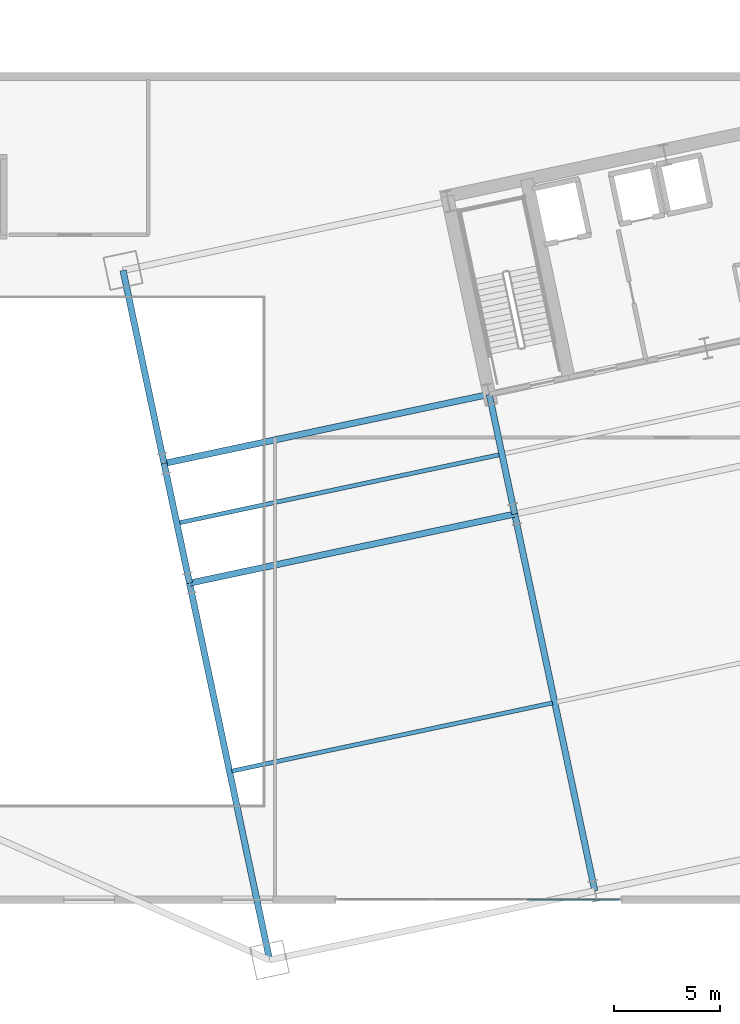
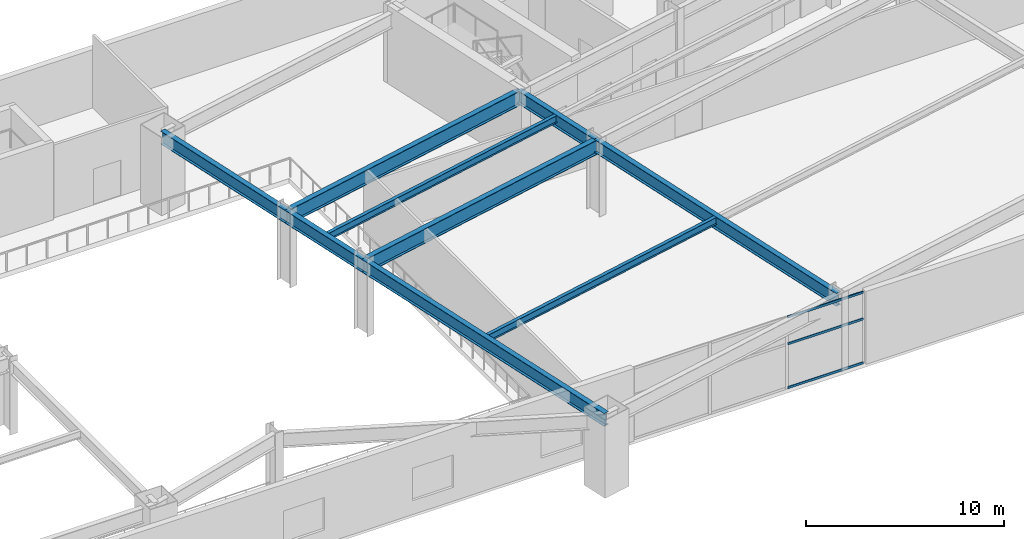
# One storey, part 9 of 25: 9 beams, 3 members, 1 element without a shape of its own.
"""IFC4 building model written with IfcOpenShell, lengths in metres."""

from ifc_helpers import new_model, si_unit, direction, frame, origin, origin_2d, place, context, subcontext, project, spatial, hollow_rectangle, i_section, extrude, material, layer, layer_set, material_profile, profile_set, type_object, element, aggregate, save


model = new_model("IFC4")

# Units and contexts
model_context = context("Model", 3, precision=1e-05, world=origin(), true_north=direction((0.0, 1.0)))
body_context = subcontext(model_context, "Body", "Model", "MODEL_VIEW")
ifc_project = project(units=[si_unit("LENGTHUNIT", "METRE"), si_unit("AREAUNIT", "SQUARE_METRE"), si_unit("VOLUMEUNIT", "CUBIC_METRE"), si_unit("PLANEANGLEUNIT", "RADIAN"), si_unit("MASSUNIT", "GRAM", prefix="KILO")], contexts=[model_context])

# Site, building, storey
site_placement = place(None, origin())
site = spatial("IfcSite", under=ifc_project, at=site_placement, CompositionType="ELEMENT")
building_placement = place(site_placement, origin())
building = spatial("IfcBuilding", under=site, at=building_placement, Name="Haevon Station Towers", CompositionType="ELEMENT")
storey_placement = place(building_placement, frame((0.0, 0.0, 6.0)))
storey = spatial("IfcBuildingStorey", under=building, at=storey_placement, Name="L01", CompositionType="ELEMENT", Elevation=6.0)

# Beams
ifc_material_1 = material(Name="Steel S355", Category="steel")
ifc_material_profile_1 = material_profile(ifc_material_1, i_section(OverallWidth=0.199951171875, OverallDepth=0.449951171875, WebThickness=0.009033203125, FlangeThickness=0.013916015625, at=origin_2d()), Name="H-450x200x9x14")
ifc_profile_set_1 = profile_set([ifc_material_profile_1], Name="Steel S355")
beam_type_1 = type_object("IfcBeamType", Name="BM-J450", PredefinedType="JOIST", material=ifc_profile_set_1)
for number, where, z_axis, x_axis, name in (
    (1, (86.55712890625, 19.591796875, 4.27490234375), (0.978145944065, 0.207919484679, 0.0), (-0.207919484679, 0.978145944065, 0.0), "BM-T2J-L01-01-01"),
    (2, (84.05712890625, 31.35400390625, 4.27490234375), (0.978145944065, 0.207919484679, 0.0), (-0.207919484679, 0.978145944065, 0.0), "BM-T2J-L01-02-01"),
):
    element("IfcBeam", number, at=place(storey_placement, frame(where, z_axis=z_axis, x_axis=x_axis)), inside=storey, type_object=beam_type_1, Name=name, PredefinedType="JOIST", context=body_context, shape_type="SweptSolid", body=[
        extrude(i_section(OverallWidth=0.199951171875, OverallDepth=0.449951171875, WebThickness=0.009033203125, FlangeThickness=0.013916015625, at=origin_2d()), origin(), (0.0, 0.0, 1.0), 15.530029296875),
    ])
ifc_material_profile_2 = material_profile(ifc_material_1, i_section(OverallWidth=0.300048828125, OverallDepth=0.800048828125, WebThickness=0.013916015625, FlangeThickness=0.02587890625, at=origin_2d()), Name="H-800x300x14x26")
ifc_profile_set_2 = profile_set([ifc_material_profile_2], Name="Steel S355")
beam_type_2 = type_object("IfcBeamType", Name="BM-PG800", PredefinedType="BEAM", material=ifc_profile_set_2)
beam_1_placement = place(storey_placement, frame((88.346923828125, 10.643310546875, 4.10009765625), z_axis=(-0.207912673377, 0.978147391884, 0.0), x_axis=(-0.978147391884, -0.207912673377, 0.0)))
element("IfcBeam", 3, at=beam_1_placement, inside=storey, type_object=beam_type_2, Name="BM-T2V-L01-01-01", PredefinedType="BEAM", context=body_context, shape_type="SweptSolid", body=[
    extrude(i_section(OverallWidth=0.300048828125, OverallDepth=0.800048828125, WebThickness=0.013916015625, FlangeThickness=0.02587890625, at=origin_2d()), origin(), (0.0, 0.0, 1.0), 18.250244140625),
])
beam_2_placement = place(storey_placement, frame((84.552490234375, 28.49462890625, 4.10009765625), z_axis=(-0.207944843707, 0.978140553282, 0.0), x_axis=(-0.978140553282, -0.207944843707, 0.0)))
element("IfcBeam", 4, at=beam_2_placement, inside=storey, type_object=beam_type_2, Name="BM-T2V-L01-01-02", PredefinedType="BEAM", context=body_context, shape_type="SweptSolid", body=[
    extrude(i_section(OverallWidth=0.300048828125, OverallDepth=0.800048828125, WebThickness=0.013916015625, FlangeThickness=0.02587890625, at=origin_2d()), origin(), (0.0, 0.0, 1.0), 5.7998046875),
])
beam_3_placement = place(storey_placement, frame((83.346435546875, 34.167724609375, 4.10009765625), z_axis=(-0.207897167074, 0.978150687738, 0.0), x_axis=(-0.978150687738, -0.207897167074, 0.0)))
element("IfcBeam", 5, at=beam_3_placement, inside=storey, type_object=beam_type_2, Name="BM-T2V-L01-01-03", PredefinedType="BEAM", context=body_context, shape_type="SweptSolid", body=[
    extrude(i_section(OverallWidth=0.300048828125, OverallDepth=0.800048828125, WebThickness=0.013916015625, FlangeThickness=0.02587890625, at=origin_2d()), origin(), (0.0, 0.0, 1.0), 9.35009765625),
])
beam_4_placement = place(storey_placement, frame((103.752685546875, 13.91796875, 4.10009765625), z_axis=(-0.207915393978, 0.978146813595, 0.0), x_axis=(-0.978146813595, -0.207915393978, 0.0)))
element("IfcBeam", 6, at=beam_4_placement, inside=storey, type_object=beam_type_2, Name="BM-T2V-L01-02-01", PredefinedType="BEAM", context=body_context, shape_type="SweptSolid", body=[
    extrude(i_section(OverallWidth=0.300048828125, OverallDepth=0.800048828125, WebThickness=0.013916015625, FlangeThickness=0.02587890625, at=origin_2d()), origin(), (0.0, 0.0, 1.0), 18.25),
])
beam_5_placement = place(storey_placement, frame((99.958251953125, 31.76904296875, 4.10009765625), z_axis=(-0.207896009217, 0.97815093383, 0.0), x_axis=(-0.97815093383, -0.207896009217, 0.0)))
element("IfcBeam", 7, at=beam_5_placement, inside=storey, type_object=beam_type_2, Name="BM-T2V-L01-02-02", PredefinedType="BEAM", context=body_context, shape_type="SweptSolid", body=[
    extrude(i_section(OverallWidth=0.300048828125, OverallDepth=0.800048828125, WebThickness=0.013916015625, FlangeThickness=0.02587890625, at=origin_2d()), origin(), (0.0, 0.0, 1.0), 5.800048828125),
])
ifc_material_profile_3 = material_profile(ifc_material_1, i_section(OverallWidth=0.300048828125, OverallDepth=0.89990234375, WebThickness=0.01611328125, FlangeThickness=0.028076171875, at=origin_2d()), Name="H-900x300x16x28")
ifc_profile_set_3 = profile_set([ifc_material_profile_3], Name="Steel S355")
beam_type_3 = type_object("IfcBeamType", Name="BM-PG900", PredefinedType="BEAM", material=ifc_profile_set_3)
beam_6_placement = place(storey_placement, frame((84.552490234375, 28.49462890625, 4.050048828125), z_axis=(0.978149946567, 0.207900654232, 0.0), x_axis=(-0.207900654232, 0.978149946567, 0.0)))
element("IfcBeam", 8, at=beam_6_placement, inside=storey, type_object=beam_type_3, Name="BM-T2U-L01-02-01", PredefinedType="BEAM", context=body_context, shape_type="SweptSolid", body=[
    extrude(i_section(OverallWidth=0.300048828125, OverallDepth=0.89990234375, WebThickness=0.01611328125, FlangeThickness=0.028076171875, at=origin_2d()), origin(), (0.0, 0.0, 1.0), 15.75),
])
beam_7_placement = place(storey_placement, frame((83.346435546875, 34.167724609375, 4.050048828125), z_axis=(0.978147464271, 0.207912332825, 0.0), x_axis=(-0.207912332825, 0.978147464271, 0.0)))
element("IfcBeam", 9, at=beam_7_placement, inside=storey, type_object=beam_type_3, Name="BM-T2U-L01-03-01", PredefinedType="BEAM", context=body_context, shape_type="SweptSolid", body=[
    extrude(i_section(OverallWidth=0.300048828125, OverallDepth=0.89990234375, WebThickness=0.01611328125, FlangeThickness=0.028076171875, at=origin_2d()), origin(), (0.0, 0.0, 1.0), 15.750244140625),
])

# Curtain wall, members
ifc_material_2 = material(Name="Anodised aluminium and Low-E double glazing", Category="aluminium")
ifc_layer = layer(ifc_material_2, 0.179931640625)
ifc_layer_set = layer_set([ifc_layer], Name="Anodised aluminium and Low-E double glazing")
curtain_wall_type = type_object("IfcCurtainWallType", Name="CW-SYS1", PredefinedType="NOTDEFINED", material=ifc_layer_set)
curtain_wall_placement = place(storey_placement, origin())
curtain_wall = element("IfcCurtainWall", 10, at=curtain_wall_placement, inside=storey, type_object=curtain_wall_type, Name="L01 Curtain Wall CW-POD-L01-S1", PredefinedType="NOTDEFINED")
ifc_material_3 = material(Name="Anodised aluminium 6063-T6", Category="aluminium")
ifc_material_profile_4 = material_profile(ifc_material_3, hollow_rectangle(XDim=0.06494140625, YDim=0.139892578125, WallThickness=0.00341796875, at=origin_2d()), Name="CWT-140x65x3.5")
ifc_profile_set_4 = profile_set([ifc_material_profile_4], Name="Anodised aluminium 6063-T6")
member_type = type_object("IfcMemberType", Name="CWT-140", PredefinedType="USERDEFINED", material=ifc_profile_set_4)
member_1_placement = place(storey_placement, frame((104.93505859375, 13.5, 0.032470703125), z_axis=(-1.0, 0.0, 0.0), x_axis=(0.0, -1.0, 0.0)))
member_1 = element("IfcMember", 11, at=member_1_placement, type_object=member_type, Name="CW-SYS1 transom 1.1", ObjectType="TRANSOM", PredefinedType="USERDEFINED", context=body_context, shape_type="SweptSolid", body=[
    extrude(hollow_rectangle(XDim=0.06494140625, YDim=0.139892578125, WallThickness=0.00341796875, at=origin_2d()), origin(), (0.0, 0.0, 1.0), 4.402587890625),
])
member_2_placement = place(storey_placement, frame((104.93505859375, 13.5, 2.72802734375), z_axis=(-1.0, 0.0, 0.0), x_axis=(0.0, -1.0, 0.0)))
member_2 = element("IfcMember", 12, at=member_2_placement, type_object=member_type, Name="CW-SYS1 transom 1.2", ObjectType="TRANSOM", PredefinedType="USERDEFINED", context=body_context, shape_type="SweptSolid", body=[
    extrude(hollow_rectangle(XDim=0.06494140625, YDim=0.139892578125, WallThickness=0.00341796875, at=origin_2d()), origin(), (0.0, 0.0, 1.0), 4.402587890625),
])
member_3_placement = place(storey_placement, frame((104.93505859375, 13.5, 4.367431640625), z_axis=(-1.0, 0.0, 0.0), x_axis=(0.0, -1.0, 0.0)))
member_3 = element("IfcMember", 13, at=member_3_placement, type_object=member_type, Name="CW-SYS1 transom 1.3", ObjectType="TRANSOM", PredefinedType="USERDEFINED", context=body_context, shape_type="SweptSolid", body=[
    extrude(hollow_rectangle(XDim=0.06494140625, YDim=0.139892578125, WallThickness=0.00341796875, at=origin_2d()), origin(), (0.0, 0.0, 1.0), 4.402587890625),
])
aggregate(curtain_wall, [member_1, member_2, member_3])

save(model, "model.ifc")
